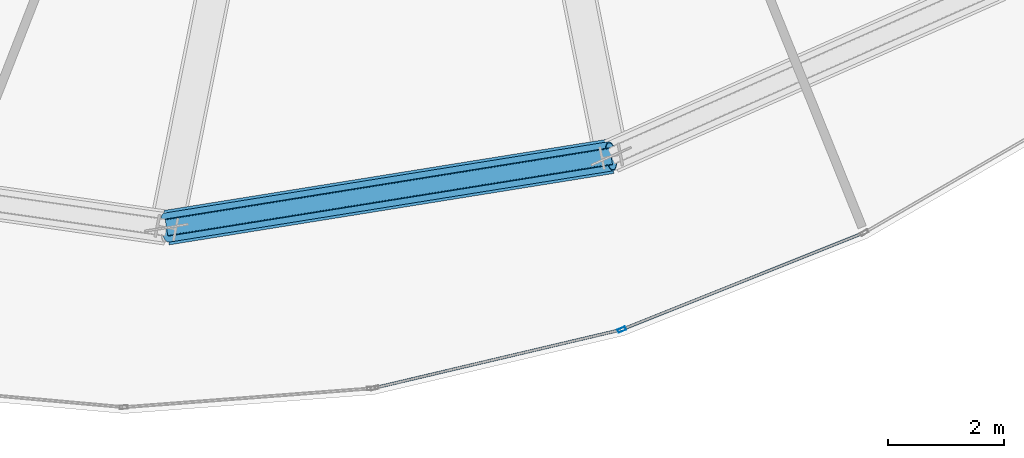
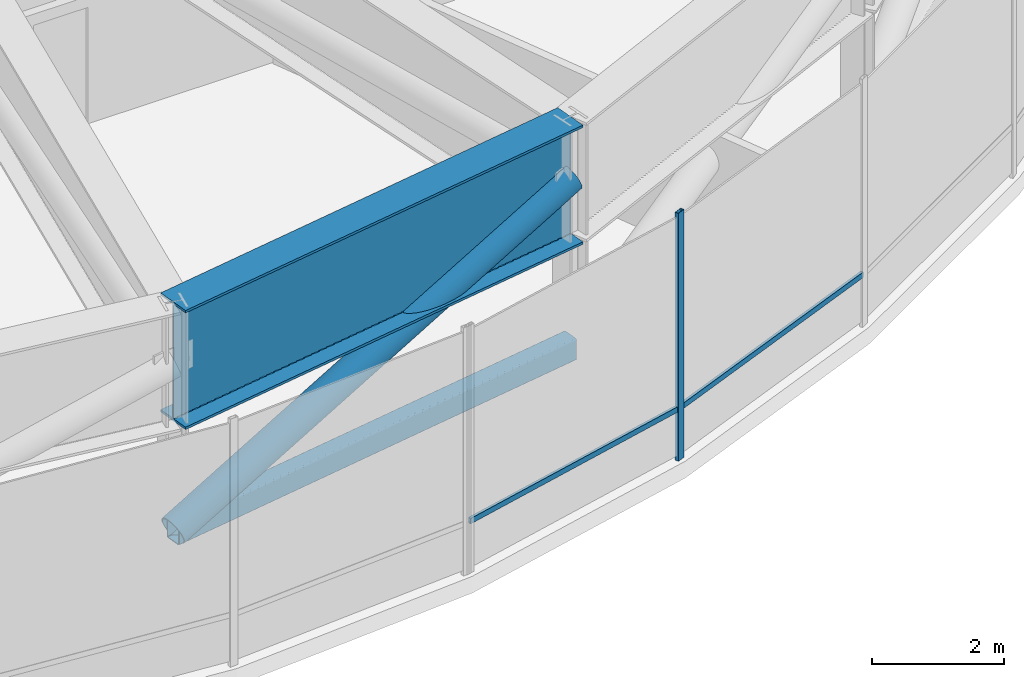
# One storey, part 7 of 30: 5 members, 1 beam, 1 element without a shape of its own.
"""IFC4 building model written with IfcOpenShell, lengths in metres."""

from ifc_helpers import new_model, si_unit, direction, frame, origin, origin_2d, place, context, subcontext, project, spatial, hollow_rectangle, hollow_circle, i_section, extrude, source, transform, mapped, material, layer, layer_set, material_profile, profile_set, type_object, element, aggregate, save


model = new_model("IFC4")

# Units and contexts
model_context = context("Model", 3, precision=1e-05, world=origin(), true_north=direction((0.0, 1.0)))
body_context = subcontext(model_context, "Body", "Model", "MODEL_VIEW")
ifc_project = project(units=[si_unit("LENGTHUNIT", "METRE"), si_unit("AREAUNIT", "SQUARE_METRE"), si_unit("VOLUMEUNIT", "CUBIC_METRE"), si_unit("PLANEANGLEUNIT", "RADIAN"), si_unit("MASSUNIT", "GRAM", prefix="KILO"), si_unit("THERMODYNAMICTEMPERATUREUNIT", "KELVIN")], contexts=[model_context])

# Site, building, storey
site_placement = place(None, origin())
site = spatial("IfcSite", under=ifc_project, at=site_placement, CompositionType="ELEMENT")
building_placement = place(site_placement, origin())
building = spatial("IfcBuilding", under=site, at=building_placement, Name="Kethvar Cultural Tower", CompositionType="ELEMENT")
storey_placement = place(building_placement, frame((0.0, 0.0, 171.39990234375)))
storey = spatial("IfcBuildingStorey", under=building, at=storey_placement, Name="L44", CompositionType="ELEMENT", Elevation=171.39990234375)

# Beam
ifc_material_1 = material(Name="Steel S460M", Category="steel")
ifc_material_profile_1 = material_profile(ifc_material_1, i_section(OverallWidth=0.60009765625, OverallDepth=2.199951171875, WebThickness=0.028076171875, FlangeThickness=0.044921875, FilletRadius=0.02197265625, at=origin_2d()), Name="Steel S460M — PG2200x600x45x28")
ifc_profile_set_1 = profile_set([ifc_material_profile_1], Name="Steel S460M — PG2200x600x45x28")
beam_type = type_object("IfcBeamType", Name="BM-TR2200", PredefinedType="BEAM", material=ifc_profile_set_1)
shared_shape_1 = source(origin(), body_context, "Body", "SweptSolid", [
    extrude(i_section(OverallWidth=0.60009765625, OverallDepth=2.199951171875, WebThickness=0.028076171875, FlangeThickness=0.044921875, FilletRadius=0.02197265625, at=origin_2d()), origin(), (0.0, 0.0, 1.0), 7.749267578125),
])
beam_placement = place(storey_placement, frame((42.852294921875, 7.95361328125, 3.47802734375), z_axis=(0.987348257569, 0.158566762831, 0.0), x_axis=(-0.158566762831, 0.987348257569, 0.0)))
element("IfcBeam", 1, at=beam_placement, inside=storey, type_object=beam_type, Name="L44 Ring Belt Girder BG-12", PredefinedType="BEAM", context=body_context, shape_type="MappedRepresentation", body=[
    mapped(shared_shape_1, transform((0.0, 0.0, 0.0), scale=1.0)),
])

# Members
ifc_material_profile_2 = material_profile(ifc_material_1, hollow_rectangle(XDim=0.300048828125, YDim=0.39990234375, WallThickness=0.01611328125, InnerFilletRadius=0.01611328125, OuterFilletRadius=0.031982421875, at=origin_2d()), Name="Steel S460M — RHS400x300x16")
ifc_profile_set_2 = profile_set([ifc_material_profile_2], Name="Steel S460M — RHS400x300x16")
member_type_1 = type_object("IfcMemberType", Name="MB-CHD-400", PredefinedType="CHORD", material=ifc_profile_set_2)
shared_shape_2 = source(origin(), body_context, "Body", "SweptSolid", [
    extrude(hollow_rectangle(XDim=0.300048828125, YDim=0.39990234375, WallThickness=0.01611328125, InnerFilletRadius=0.01611328125, OuterFilletRadius=0.031982421875, at=origin_2d()), origin(), (0.0, 0.0, 1.0), 7.749267578125),
])
member_1_placement = place(storey_placement, frame((42.852294921875, 7.95361328125, 0.35009765625), z_axis=(0.987348257569, 0.158566762831, 0.0), x_axis=(-0.158566762831, 0.987348257569, 0.0)))
element("IfcMember", 2, at=member_1_placement, inside=storey, type_object=member_type_1, Name="L44 Ring Belt Bottom Chord BC-12", PredefinedType="CHORD", context=body_context, shape_type="MappedRepresentation", body=[
    mapped(shared_shape_2, transform((0.0, 0.0, 0.0), scale=1.0)),
])
ifc_material_profile_3 = material_profile(ifc_material_1, hollow_circle(Radius=0.25390625, WallThickness=0.02001953125, at=origin_2d()), Name="Steel S460M — CHS508x20")
ifc_profile_set_3 = profile_set([ifc_material_profile_3], Name="Steel S460M — CHS508x20")
member_type_2 = type_object("IfcMemberType", Name="MB-OUT-508", PredefinedType="BRACE", material=ifc_profile_set_3)
shared_shape_3 = source(origin(), body_context, "Body", "SweptSolid", [
    extrude(hollow_circle(Radius=0.25390625, WallThickness=0.02001953125, at=origin_2d()), origin(), (0.0, 0.0, 1.0), 8.356689453125),
])
member_2_placement = place(storey_placement, frame((42.852294921875, 7.95361328125, 0.35009765625), z_axis=(0.915573783318, 0.147039881663, 0.374304582529), x_axis=(-0.158566762831, 0.987348257569, 0.0)))
element("IfcMember", 3, at=member_2_placement, inside=storey, type_object=member_type_2, Name="L44 Ring Belt Diagonal BD-12", PredefinedType="BRACE", context=body_context, shape_type="MappedRepresentation", body=[
    mapped(shared_shape_3, transform((0.0, 0.0, 0.0), scale=1.0)),
])

# Curtain wall, members
ifc_material_2 = material(Name="Aluminium 6063-T6", Category="aluminium")
ifc_layer = layer(ifc_material_2, 0.179931640625, Name="Aluminium 6063-T6", Category="aluminium")
ifc_layer_set = layer_set([ifc_layer], Name="Aluminium 6063-T6 (180 mm)")
curtain_wall_type = type_object("IfcCurtainWallType", Name="CW-SYS-04-Z34", PredefinedType="NOTDEFINED", material=ifc_layer_set)
curtain_wall_placement = place(storey_placement, origin())
curtain_wall = element("IfcCurtainWall", 4, at=curtain_wall_placement, inside=storey, type_object=curtain_wall_type, Name="L44 Curtain Wall Run 05", PredefinedType="NOTDEFINED")
ifc_material_profile_4 = material_profile(ifc_material_2, hollow_rectangle(XDim=0.06005859375, YDim=0.139892578125, WallThickness=0.0048828125, at=origin_2d()), Name="Aluminium 6063-T6 — RHS140x60x5")
ifc_profile_set_4 = profile_set([ifc_material_profile_4], Name="Aluminium 6063-T6 — RHS140x60x5")
member_type_3 = type_object("IfcMemberType", Name="CW-SYS-04-Z34-MUL", PredefinedType="MULLION", material=ifc_profile_set_4)
shared_shape_4 = source(origin(), body_context, "Body", "SweptSolid", [
    extrude(hollow_rectangle(XDim=0.06005859375, YDim=0.139892578125, WallThickness=0.0048828125, at=origin_2d()), origin(), (0.0, 0.0, 1.0), 4.580078125),
])
member_3_placement = place(storey_placement, frame((50.687255859375, 6.199462890625, 0.0), z_axis=(0.0, 0.0, 1.0), x_axis=(-0.371546085187, 0.928414512264, 0.0)))
member_3 = element("IfcMember", 5, at=member_3_placement, type_object=member_type_3, Name="CW-L44-R05 Mullion 2", PredefinedType="MULLION", context=body_context, shape_type="MappedRepresentation", body=[
    mapped(shared_shape_4, transform((0.0, 0.0, 0.0), scale=1.0)),
])
ifc_material_profile_5 = material_profile(ifc_material_2, hollow_rectangle(XDim=0.050048828125, YDim=0.10009765625, WallThickness=0.00390625, at=origin_2d()), Name="Aluminium 6063-T6 — RHS100x50x4")
ifc_profile_set_5 = profile_set([ifc_material_profile_5], Name="Aluminium 6063-T6 — RHS100x50x4")
member_type_4 = type_object("IfcMemberType", Name="CW-SYS-04-Z34-TRN", PredefinedType="USERDEFINED", material=ifc_profile_set_5)
shared_shape_5 = source(origin(), body_context, "Body", "SweptSolid", [
    extrude(hollow_rectangle(XDim=0.050048828125, YDim=0.10009765625, WallThickness=0.00390625, at=origin_2d()), origin(), (0.0, 0.0, 1.0), 4.424560546875),
])
member_4_placement = place(storey_placement, frame((50.727294921875, 6.215576171875, 0.9501953125), z_axis=(0.92840817951, 0.371561908999, 0.0), x_axis=(-0.371561908999, 0.92840817951, 0.0)))
member_4 = element("IfcMember", 6, at=member_4_placement, type_object=member_type_4, Name="CW-L44-R05 Transom 2", ObjectType="TRANSOM", PredefinedType="USERDEFINED", context=body_context, shape_type="MappedRepresentation", body=[
    mapped(shared_shape_5, transform((0.0, 0.0, 0.0), scale=1.0)),
])
shared_shape_6 = source(origin(), body_context, "Body", "SweptSolid", [
    extrude(hollow_rectangle(XDim=0.050048828125, YDim=0.10009765625, WallThickness=0.00390625, at=origin_2d()), origin(), (0.0, 0.0, 1.0), 4.33935546875),
])
member_5_placement = place(storey_placement, frame((46.4375, 5.19775390625, 0.9501953125), z_axis=(0.973258297395, 0.229713487963, 0.0), x_axis=(-0.229713487963, 0.973258297395, 0.0)))
member_5 = element("IfcMember", 7, at=member_5_placement, type_object=member_type_4, Name="CW-L44-R05 Transom 1", ObjectType="TRANSOM", PredefinedType="USERDEFINED", context=body_context, shape_type="MappedRepresentation", body=[
    mapped(shared_shape_6, transform((0.0, 0.0, 0.0), scale=1.0)),
])
aggregate(curtain_wall, [member_3, member_5, member_4])

save(model, "model.ifc")
